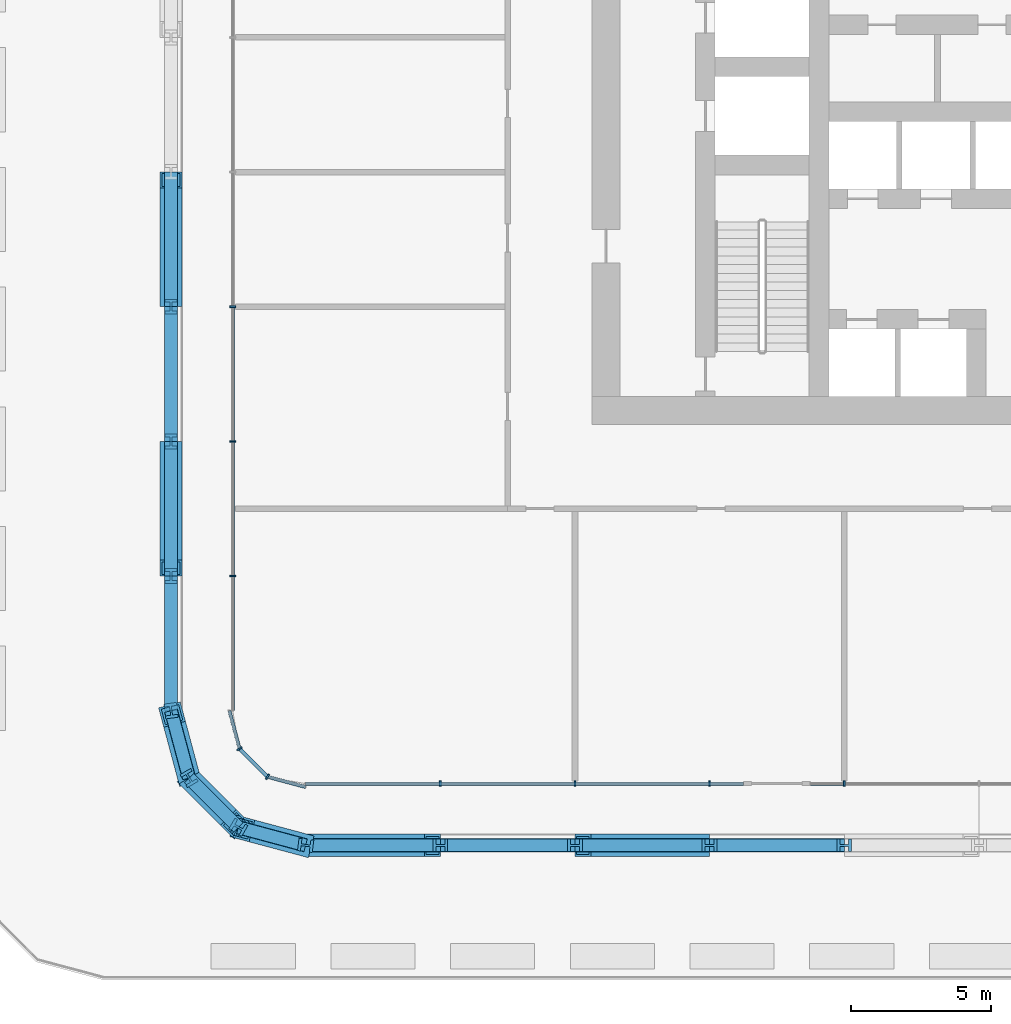
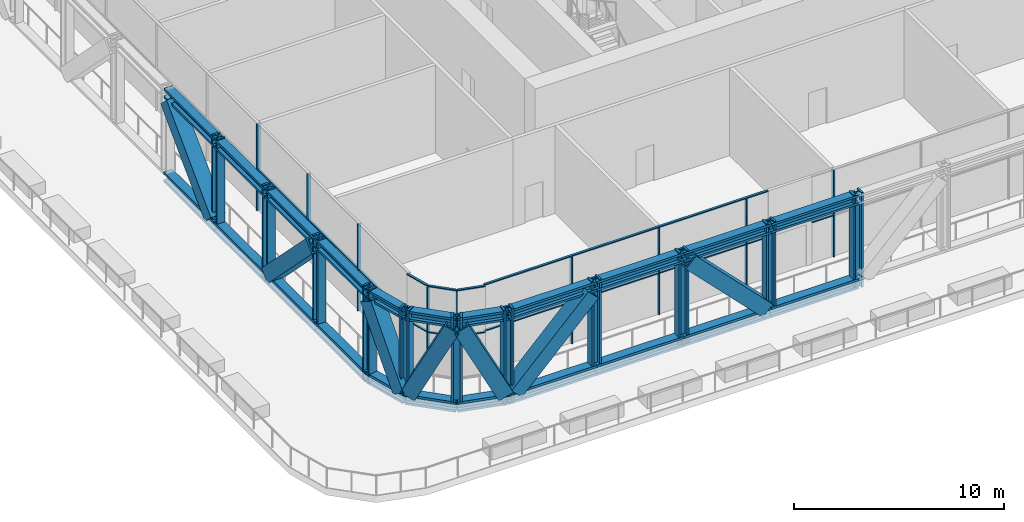
# One storey, part 1 of 22: 64 members, 3 elements without a shape of their own.
"""IFC4 building model written with IfcOpenShell, lengths in metres."""

import ifcopenshell
import ifcopenshell.guid

model = None  # the IFC model being written
_history = None  # IfcOwnerHistory: only IFC2X3 demands one
_inside = {}  # id of a spatial element -> (the spatial element, [elements in it])
_under = {}  # id of a project, library or spatial element -> (it, [spatial elements below it])
_declared = {}  # id of a project -> (the project, [libraries it declares])
_typed = {}  # id of a type object -> (the type object, [elements of that type])
_made_of = {}  # id of a material, layer set ... -> (it, [elements and type objects made of it])


def new_model(schema):
    """Start an empty IFC model of exactly this schema.

    Asked for "IFC4X3", IfcOpenShell would pick the latest addendum, in which some entities
    have other attributes; the version numbers below select the first issue.
    IFC2X3 requires an IfcOwnerHistory on every rooted entity: one is made here for all.
    """
    global model, _history
    if schema == "IFC4X3":
        model = ifcopenshell.file(schema_version=(4, 3, 0, 0))
    else:
        model = ifcopenshell.file(schema=schema)
    _inside.clear()
    _under.clear()
    _declared.clear()
    _typed.clear()
    _made_of.clear()
    _history = None
    if model.schema == "IFC2X3":
        org = make("IfcOrganization", Name="unknown")
        user = make(
            "IfcPersonAndOrganization",
            ThePerson=make("IfcPerson", FamilyName="unknown"),
            TheOrganization=org,
        )
        app = make(
            "IfcApplication",
            ApplicationDeveloper=org,
            Version="unknown",
            ApplicationFullName="unknown",
            ApplicationIdentifier="unknown",
        )
        _history = make(
            "IfcOwnerHistory",
            OwningUser=user,
            OwningApplication=app,
            ChangeAction="ADDED",
            CreationDate=0,
        )
    return model


def make(cls, **values):
    """One entity of the class cls with the attributes given. An attribute that is None is left unset."""
    return model.create_entity(
        cls, **{name: value for name, value in values.items() if value is not None}
    )


def rooted(cls, **values):
    """An entity with a GlobalId (a new one), such as an element, a storey or a relation."""
    return make(cls, GlobalId=ifcopenshell.guid.new(), OwnerHistory=_history, **values)


def si_unit(unit_type, name, prefix=None):
    """IfcSIUnit, for example si_unit("LENGTHUNIT", "METRE", prefix="MILLI")."""
    return make("IfcSIUnit", UnitType=unit_type, Prefix=prefix, Name=name)


def assignment(units):
    """IfcUnitAssignment: the units of a project."""
    return None if units is None else make("IfcUnitAssignment", Units=units)


def point(xyz):
    """IfcCartesianPoint."""
    return None if xyz is None else make("IfcCartesianPoint", Coordinates=xyz)


def direction(xyz):
    """IfcDirection."""
    return None if xyz is None else make("IfcDirection", DirectionRatios=xyz)


def frame(location, z_axis=None, x_axis=None):
    """IfcAxis2Placement3D, a coordinate frame: its origin and axes. An axis left out is left unset."""
    return make(
        "IfcAxis2Placement3D",
        Location=point(location),
        Axis=direction(z_axis),
        RefDirection=direction(x_axis),
    )


def frame_2d(location, x_axis=None):
    """IfcAxis2Placement2D, a coordinate frame in the plane: its origin and x axis."""
    return make(
        "IfcAxis2Placement2D", Location=point(location), RefDirection=direction(x_axis)
    )


def origin():
    """The frame at (0, 0, 0) with its axes left unset."""
    return frame((0.0, 0.0, 0.0))


def origin_2d():
    """The frame at (0, 0) in the plane with its x axis left unset."""
    return frame_2d((0.0, 0.0))


def place(relative_to, where):
    """IfcLocalPlacement: puts the frame where relative to a parent placement (None: the world)."""
    return make(
        "IfcLocalPlacement", PlacementRelTo=relative_to, RelativePlacement=where
    )


def context(
    kind, dimensions, precision=None, world=None, true_north=None, identifier=None
):
    """IfcGeometricRepresentationContext, for example the 3D "Model" context."""
    return make(
        "IfcGeometricRepresentationContext",
        ContextIdentifier=identifier,
        ContextType=kind,
        CoordinateSpaceDimension=dimensions,
        Precision=precision,
        WorldCoordinateSystem=world,
        TrueNorth=true_north,
    )


def subcontext(parent, identifier, kind, view, scale=None):
    """IfcGeometricRepresentationSubContext, for example "Body" below "Model"."""
    return make(
        "IfcGeometricRepresentationSubContext",
        ContextIdentifier=identifier,
        ContextType=kind,
        ParentContext=parent,
        TargetScale=scale,
        TargetView=view,
    )


def project(units=None, contexts=None):
    """IfcProject with its units and contexts."""
    return rooted(
        "IfcProject",
        Name="project",
        RepresentationContexts=contexts,
        UnitsInContext=assignment(units),
    )


def spatial(cls, under=None, at=None, **own):
    """A site, building, storey or space (cls), placed at a placement, below another one or the project."""
    s = rooted(cls, ObjectPlacement=at, **own)
    if under is not None:
        _under.setdefault(under.id(), (under, []))[1].append(s)
    return s


def profile(cls, at=None, kind="AREA", **sizes):
    """A parametric profile (cls). Its sizes go by their IFC names, for example OverallWidth=200.0."""
    return make(cls, ProfileType=kind, Position=at, **sizes)


def rectangle(**sizes):
    """IfcRectangleProfileDef."""
    return profile("IfcRectangleProfileDef", **sizes)


def hollow_rectangle(**sizes):
    """IfcRectangleHollowProfileDef."""
    return profile("IfcRectangleHollowProfileDef", **sizes)


def i_section(**sizes):
    """IfcIShapeProfileDef."""
    return profile("IfcIShapeProfileDef", **sizes)


def extrude(swept, where, along, depth):
    """IfcExtrudedAreaSolid: the profile swept, set in the frame where, extruded along a direction by depth."""
    return make(
        "IfcExtrudedAreaSolid",
        SweptArea=swept,
        Position=where,
        ExtrudedDirection=direction(along),
        Depth=depth,
    )


def shape(context_of_items, identifier, shape_type, items):
    """IfcShapeRepresentation: the items that make up one representation, for example the "Body"."""
    return make(
        "IfcShapeRepresentation",
        ContextOfItems=context_of_items,
        RepresentationIdentifier=identifier,
        RepresentationType=shape_type,
        Items=items,
    )


def material(Name=None, Category=None):
    """IfcMaterial."""
    return make("IfcMaterial", Name=Name, Category=Category)


def layer(
    of_material, thickness, ventilated=None, Name=None, Category=None, Priority=None
):
    """IfcMaterialLayer: one layer of a wall or slab, of a material (None: an air gap)."""
    return make(
        "IfcMaterialLayer",
        Material=of_material,
        LayerThickness=thickness,
        IsVentilated=ventilated,
        Name=Name,
        Category=Category,
        Priority=Priority,
    )


def layer_set(layers, Name=None):
    """IfcMaterialLayerSet."""
    return make("IfcMaterialLayerSet", MaterialLayers=layers, LayerSetName=Name)


def material_profile(
    of_material, cross_section, Name=None, Category=None, Priority=None
):
    """IfcMaterialProfile: a cross section and its material."""
    return make(
        "IfcMaterialProfile",
        Name=Name,
        Material=of_material,
        Profile=cross_section,
        Priority=Priority,
        Category=Category,
    )


def profile_set(profiles, Name=None, composite=None):
    """IfcMaterialProfileSet."""
    return make(
        "IfcMaterialProfileSet",
        Name=Name,
        MaterialProfiles=profiles,
        CompositeProfile=composite,
    )


def made_of(thing, what):
    """Note that an element or type object is made of a material, layer set ...; save() writes the relation."""
    if what is not None:
        _made_of.setdefault(what.id(), (what, []))[1].append(thing)
    return thing


def type_object(cls, material=None, **own):
    """A type object (cls), such as IfcWallType, which elements share."""
    return made_of(rooted(cls, **own), material)


def element(
    cls,
    number,
    at=None,
    inside=None,
    cuts=None,
    type_object=None,
    material=None,
    context=None,
    identifier="Body",
    shape_type=None,
    held_by="IfcProductDefinitionShape",
    body=None,
    shapes=None,
    **own,
):
    """One element of the class cls, such as IfcWall. Its Tag is "e" and its number.

    at: its placement. inside: the storey or other place that contains it. cuts: it is an
    opening in that element (IfcRelVoidsElement). A single representation is given by context,
    identifier, shape_type and body (its items); several are given by shapes. held_by: the class
    of the entity that holds the representations. save() writes the other relations.
    """
    e = rooted(cls, Tag="e%d" % number, ObjectPlacement=at, **own)
    if body is not None:
        shapes = [shape(context, identifier, shape_type, body)]
    if shapes is not None:
        e.Representation = make(held_by, Representations=shapes)
    if inside is not None:
        _inside.setdefault(inside.id(), (inside, []))[1].append(e)
    if cuts is not None:
        rooted(
            "IfcRelVoidsElement", RelatingBuildingElement=cuts, RelatedOpeningElement=e
        )
    if type_object is not None:
        _typed.setdefault(type_object.id(), (type_object, []))[1].append(e)
    return made_of(e, material)


def aggregate(whole, parts):
    """IfcRelAggregates: a whole, such as a stair, and the parts it consists of."""
    return rooted("IfcRelAggregates", RelatingObject=whole, RelatedObjects=parts)


def save(model, path):
    """Write the relations noted so far, then the file.

    IfcRelAggregates (storeys below a building ...), IfcRelContainedInSpatialStructure (elements
    in a storey), IfcRelDefinesByType, IfcRelAssociatesMaterial and IfcRelDeclares: one each for
    every whole, place, type object, material and project.
    """
    for whole, parts in _under.values():
        aggregate(whole, parts)
    for where, things in _inside.values():
        rooted(
            "IfcRelContainedInSpatialStructure",
            RelatedElements=things,
            RelatingStructure=where,
        )
    for kind, things in _typed.values():
        rooted("IfcRelDefinesByType", RelatedObjects=things, RelatingType=kind)
    for what, things in _made_of.values():
        rooted("IfcRelAssociatesMaterial", RelatedObjects=things, RelatingMaterial=what)
    for by, libraries in _declared.values():
        rooted("IfcRelDeclares", RelatingContext=by, RelatedDefinitions=libraries)
    model.write(path)


model = new_model("IFC4")

# Units and contexts
model_context = context("Model", 3, precision=1e-05, world=origin(), true_north=direction((0.0, 1.0)))
body_context = subcontext(model_context, "Body", "Model", "MODEL_VIEW")
ifc_project = project(units=[si_unit("LENGTHUNIT", "METRE"), si_unit("AREAUNIT", "SQUARE_METRE"), si_unit("VOLUMEUNIT", "CUBIC_METRE"), si_unit("PLANEANGLEUNIT", "RADIAN"), si_unit("MASSUNIT", "GRAM", prefix="KILO")], contexts=[model_context])

# Site, building, storey
site_placement = place(None, origin())
site = spatial("IfcSite", under=ifc_project, at=site_placement, CompositionType="ELEMENT")
building_placement = place(site_placement, origin())
building = spatial("IfcBuilding", under=site, at=building_placement, Name="Madar Terraces", CompositionType="ELEMENT")
storey_placement = place(building_placement, frame((0.0, 0.0, 24.0)))
storey = spatial("IfcBuildingStorey", under=building, at=storey_placement, Name="L05", CompositionType="ELEMENT", Elevation=24.0)

# Members
ifc_material_1 = material(Name="Steel ASTM A913 Grade 65", Category="steel")
ifc_material_profile_1 = material_profile(ifc_material_1, i_section(OverallWidth=0.4775390625, OverallDepth=0.599365234375, WebThickness=0.10009765625, FlangeThickness=0.139892578125, at=origin_2d()), Name="W14x873")
ifc_profile_set_1 = profile_set([ifc_material_profile_1], Name="Steel ASTM A913 Grade 65")
member_type_1 = type_object("IfcMemberType", Name="BC1 W14x873", PredefinedType="CHORD", material=ifc_profile_set_1)
member_1_placement = place(storey_placement, frame((4.800048828125, 0.0, -0.120361328125), z_axis=(1.0, 0.0, 0.0), x_axis=(0.0, 1.0, 0.0)))
element("IfcMember", 1, at=member_1_placement, inside=storey, type_object=member_type_1, Name="Exoskeleton truss ring bottom chord BC1", PredefinedType="CHORD", context=body_context, shape_type="SweptSolid", body=[
    extrude(i_section(OverallWidth=0.4775390625, OverallDepth=0.599365234375, WebThickness=0.10009765625, FlangeThickness=0.139892578125, at=origin_2d()), origin(), (0.0, 0.0, 1.0), 4.800048828125),
])
member_2_placement = place(storey_placement, frame((9.60009765625, 0.0, -0.120361328125), z_axis=(1.0, 0.0, 0.0), x_axis=(0.0, 1.0, 0.0)))
element("IfcMember", 2, at=member_2_placement, inside=storey, type_object=member_type_1, Name="Exoskeleton truss ring bottom chord BC1", PredefinedType="CHORD", context=body_context, shape_type="SweptSolid", body=[
    extrude(i_section(OverallWidth=0.4775390625, OverallDepth=0.599365234375, WebThickness=0.10009765625, FlangeThickness=0.139892578125, at=origin_2d()), origin(), (0.0, 0.0, 1.0), 4.7998046875),
])
for number, where, z_axis, x_axis, name in (
    (3, (14.39990234375, 0.0, -0.120361328125), (1.0, 0.0, 0.0), (0.0, 1.0, 0.0), "Exoskeleton truss ring bottom chord BC1"),
    (4, (19.199951171875, 0.0, -0.120361328125), (1.0, 0.0, 0.0), (0.0, 1.0, 0.0), "Exoskeleton truss ring bottom chord BC1"),
    (5, (0.0, 24.0, -0.120361328125), (0.0, -1.0, 0.0), (1.0, 0.0, 0.0), "Exoskeleton truss ring bottom chord BC1"),
    (6, (0.0, 19.199951171875, -0.120361328125), (0.0, -1.0, 0.0), (1.0, 0.0, 0.0), "Exoskeleton truss ring bottom chord BC1"),
):
    element("IfcMember", number, at=place(storey_placement, frame(where, z_axis=z_axis, x_axis=x_axis)), inside=storey, type_object=member_type_1, Name=name, PredefinedType="CHORD", context=body_context, shape_type="SweptSolid", body=[
        extrude(i_section(OverallWidth=0.4775390625, OverallDepth=0.599365234375, WebThickness=0.10009765625, FlangeThickness=0.139892578125, at=origin_2d()), origin(), (0.0, 0.0, 1.0), 4.800048828125),
    ])
member_3_placement = place(storey_placement, frame((0.0, 14.39990234375, -0.120361328125), z_axis=(0.0, -1.0, 0.0), x_axis=(1.0, 0.0, 0.0)))
element("IfcMember", 7, at=member_3_placement, inside=storey, type_object=member_type_1, Name="Exoskeleton truss ring bottom chord BC1", PredefinedType="CHORD", context=body_context, shape_type="SweptSolid", body=[
    extrude(i_section(OverallWidth=0.4775390625, OverallDepth=0.599365234375, WebThickness=0.10009765625, FlangeThickness=0.139892578125, at=origin_2d()), origin(), (0.0, 0.0, 1.0), 4.7998046875),
])
member_4_placement = place(storey_placement, frame((0.0, 9.60009765625, -0.120361328125), z_axis=(0.0, -1.0, 0.0), x_axis=(1.0, 0.0, 0.0)))
element("IfcMember", 8, at=member_4_placement, inside=storey, type_object=member_type_1, Name="Exoskeleton truss ring bottom chord BC1", PredefinedType="CHORD", context=body_context, shape_type="SweptSolid", body=[
    extrude(i_section(OverallWidth=0.4775390625, OverallDepth=0.599365234375, WebThickness=0.10009765625, FlangeThickness=0.139892578125, at=origin_2d()), origin(), (0.0, 0.0, 1.0), 4.800048828125),
])
member_5_placement = place(storey_placement, frame((0.0, 4.800048828125, -0.120361328125), z_axis=(0.258799930484, -0.965930947833, 0.0), x_axis=(0.965930947833, 0.258799930484, 0.0)))
element("IfcMember", 9, at=member_5_placement, inside=storey, type_object=member_type_1, Name="Exoskeleton truss ring bottom chord BC1", PredefinedType="CHORD", context=body_context, shape_type="SweptSolid", body=[
    extrude(i_section(OverallWidth=0.4775390625, OverallDepth=0.599365234375, WebThickness=0.10009765625, FlangeThickness=0.139892578125, at=origin_2d()), origin(), (0.0, 0.0, 1.0), 2.48486328125),
])
member_6_placement = place(storey_placement, frame((0.64306640625, 2.39990234375, -0.120361328125), z_axis=(0.707106781187, -0.707106781187, 0.0), x_axis=(0.707106781187, 0.707106781187, 0.0)))
element("IfcMember", 10, at=member_6_placement, inside=storey, type_object=member_type_1, Name="Exoskeleton truss ring bottom chord BC1", PredefinedType="CHORD", context=body_context, shape_type="SweptSolid", body=[
    extrude(i_section(OverallWidth=0.4775390625, OverallDepth=0.599365234375, WebThickness=0.10009765625, FlangeThickness=0.139892578125, at=origin_2d()), origin(), (0.0, 0.0, 1.0), 2.484619140625),
])
member_7_placement = place(storey_placement, frame((2.39990234375, 0.64306640625, -0.120361328125), z_axis=(0.965930947833, -0.258799930484, 0.0), x_axis=(0.258799930484, 0.965930947833, 0.0)))
element("IfcMember", 11, at=member_7_placement, inside=storey, type_object=member_type_1, Name="Exoskeleton truss ring bottom chord BC1", PredefinedType="CHORD", context=body_context, shape_type="SweptSolid", body=[
    extrude(i_section(OverallWidth=0.4775390625, OverallDepth=0.599365234375, WebThickness=0.10009765625, FlangeThickness=0.139892578125, at=origin_2d()), origin(), (0.0, 0.0, 1.0), 2.48486328125),
])

# Curtain wall, members
ifc_material_2 = material(Name="Glass, ceramic frit dark grey, with black aluminium frame", Category="aluminium")
ifc_layer = layer(ifc_material_2, 0.199951171875)
ifc_layer_set = layer_set([ifc_layer], Name="Facade curtain wall, tall glazing")
curtain_wall_type = type_object("IfcCurtainWallType", Name="Facade curtain wall, tall glazing", PredefinedType="NOTDEFINED", material=ifc_layer_set)
curtain_wall_1_placement = place(storey_placement, origin())
curtain_wall_1 = element("IfcCurtainWall", 12, at=curtain_wall_1_placement, inside=storey, type_object=curtain_wall_type, Name="Outer skin curtain wall south bay 1", PredefinedType="NOTDEFINED")
ifc_material_3 = material(Name="Aluminium, black anodised", Category="aluminium")
ifc_material_profile_2 = material_profile(ifc_material_3, rectangle(XDim=0.199951171875, YDim=0.06005859375, at=origin_2d()), Name="Facade mullion 60x200")
ifc_profile_set_2 = profile_set([ifc_material_profile_2], Name="Aluminium, black anodised")
member_type_2 = type_object("IfcMemberType", Name="Facade mullion 60x200", PredefinedType="MULLION", material=ifc_profile_set_2)
member_8_placement = place(storey_placement, frame((9.60009765625, 2.199951171875, 0.0), z_axis=(0.0, 0.0, 1.0), x_axis=(0.0, 1.0, 0.0)))
member_8 = element("IfcMember", 13, at=member_8_placement, type_object=member_type_2, Name="Mullion 1", PredefinedType="MULLION", context=body_context, shape_type="SweptSolid", body=[
    extrude(rectangle(XDim=0.199951171875, YDim=0.06005859375, at=origin_2d()), origin(), (0.0, 0.0, 1.0), 5.0400390625),
])
member_9_placement = place(storey_placement, frame((14.39990234375, 2.199951171875, 0.0), z_axis=(0.0, 0.0, 1.0), x_axis=(0.0, 1.0, 0.0)))
member_9 = element("IfcMember", 14, at=member_9_placement, type_object=member_type_2, Name="Mullion 2", PredefinedType="MULLION", context=body_context, shape_type="SweptSolid", body=[
    extrude(rectangle(XDim=0.199951171875, YDim=0.06005859375, at=origin_2d()), origin(), (0.0, 0.0, 1.0), 5.0400390625),
])
member_10_placement = place(storey_placement, frame((19.199951171875, 2.199951171875, 0.0), z_axis=(0.0, 0.0, 1.0), x_axis=(0.0, 1.0, 0.0)))
member_10 = element("IfcMember", 15, at=member_10_placement, type_object=member_type_2, Name="Mullion 3", PredefinedType="MULLION", context=body_context, shape_type="SweptSolid", body=[
    extrude(rectangle(XDim=0.199951171875, YDim=0.06005859375, at=origin_2d()), origin(), (0.0, 0.0, 1.0), 5.0400390625),
])
member_11_placement = place(storey_placement, frame((24.0, 2.199951171875, 0.0), z_axis=(0.0, 0.0, 1.0), x_axis=(0.0, 1.0, 0.0)))
member_11 = element("IfcMember", 16, at=member_11_placement, type_object=member_type_2, Name="Mullion 4", PredefinedType="MULLION", context=body_context, shape_type="SweptSolid", body=[
    extrude(rectangle(XDim=0.199951171875, YDim=0.06005859375, at=origin_2d()), origin(), (0.0, 0.0, 1.0), 5.0400390625),
])

curtain_wall_2_placement = place(storey_placement, origin())
curtain_wall_2 = element("IfcCurtainWall", 17, at=curtain_wall_2_placement, inside=storey, type_object=curtain_wall_type, Name="Outer skin curtain wall west bay 1", PredefinedType="NOTDEFINED")
member_12_placement = place(storey_placement, frame((2.199951171875, 19.199951171875, 0.0), z_axis=(0.0, 0.0, 1.0), x_axis=(1.0, 0.0, 0.0)))
member_12 = element("IfcMember", 18, at=member_12_placement, type_object=member_type_2, Name="Mullion 5", PredefinedType="MULLION", context=body_context, shape_type="SweptSolid", body=[
    extrude(rectangle(XDim=0.199951171875, YDim=0.06005859375, at=origin_2d()), origin(), (0.0, 0.0, 1.0), 5.0400390625),
])
member_13_placement = place(storey_placement, frame((2.199951171875, 14.39990234375, 0.0), z_axis=(0.0, 0.0, 1.0), x_axis=(1.0, 0.0, 0.0)))
member_13 = element("IfcMember", 19, at=member_13_placement, type_object=member_type_2, Name="Mullion 6", PredefinedType="MULLION", context=body_context, shape_type="SweptSolid", body=[
    extrude(rectangle(XDim=0.199951171875, YDim=0.06005859375, at=origin_2d()), origin(), (0.0, 0.0, 1.0), 5.0400390625),
])
member_14_placement = place(storey_placement, frame((2.199951171875, 9.60009765625, 0.0), z_axis=(0.0, 0.0, 1.0), x_axis=(1.0, 0.0, 0.0)))
member_14 = element("IfcMember", 20, at=member_14_placement, type_object=member_type_2, Name="Mullion 7", PredefinedType="MULLION", context=body_context, shape_type="SweptSolid", body=[
    extrude(rectangle(XDim=0.199951171875, YDim=0.06005859375, at=origin_2d()), origin(), (0.0, 0.0, 1.0), 5.0400390625),
])

curtain_wall_3_placement = place(storey_placement, origin())
curtain_wall_3 = element("IfcCurtainWall", 21, at=curtain_wall_3_placement, inside=storey, type_object=curtain_wall_type, Name="Outer skin curtain wall south-west corner", PredefinedType="NOTDEFINED")
member_15_placement = place(storey_placement, frame((2.4443359375, 3.43994140625, 0.0), z_axis=(0.0, 0.0, 1.0), x_axis=(0.866025386925, 0.500000029202, 0.0)))
member_15 = element("IfcMember", 22, at=member_15_placement, type_object=member_type_2, Name="Mullion 1", PredefinedType="MULLION", context=body_context, shape_type="SweptSolid", body=[
    extrude(rectangle(XDim=0.199951171875, YDim=0.06005859375, at=origin_2d()), origin(), (0.0, 0.0, 1.0), 5.0400390625),
])
member_16_placement = place(storey_placement, frame((3.43994140625, 2.4443359375, 0.0), z_axis=(0.0, 0.0, 1.0), x_axis=(0.500000029202, 0.866025386925, 0.0)))
member_16 = element("IfcMember", 23, at=member_16_placement, type_object=member_type_2, Name="Mullion 2", PredefinedType="MULLION", context=body_context, shape_type="SweptSolid", body=[
    extrude(rectangle(XDim=0.199951171875, YDim=0.06005859375, at=origin_2d()), origin(), (0.0, 0.0, 1.0), 5.0400390625),
])

# Member
ifc_material_4 = material(Name="Aluminium, black anodised", Category="aluminium")
ifc_material_profile_3 = material_profile(ifc_material_4, rectangle(XDim=0.1201171875, YDim=0.06005859375, at=origin_2d()), Name="Facade transom 60x120")
ifc_profile_set_3 = profile_set([ifc_material_profile_3], Name="Aluminium, black anodised")
member_type_3 = type_object("IfcMemberType", Name="Facade transom 60x120", PredefinedType="USERDEFINED", material=ifc_profile_set_3)
member_17_placement = place(storey_placement, frame((4.800048828125, 2.199951171875, 5.070068359375), z_axis=(1.0, 0.0, 0.0), x_axis=(0.0, 1.0, 0.0)))
member_17 = element("IfcMember", 24, at=member_17_placement, type_object=member_type_3, Name="Transom 1", ObjectType="TRANSOM", PredefinedType="USERDEFINED", context=body_context, shape_type="SweptSolid", body=[
    extrude(rectangle(XDim=0.1201171875, YDim=0.06005859375, at=origin_2d()), origin(), (0.0, 0.0, 1.0), 15.599853515625),
])

member_18_placement = place(storey_placement, frame((4.800048828125, 2.199951171875, 2.39990234375), z_axis=(1.0, 0.0, 0.0), x_axis=(0.0, 1.0, 0.0)))
member_18 = element("IfcMember", 25, at=member_18_placement, type_object=member_type_3, Name="Transom 2", ObjectType="TRANSOM", PredefinedType="USERDEFINED", context=body_context, shape_type="SweptSolid", body=[
    extrude(rectangle(XDim=0.1201171875, YDim=0.06005859375, at=origin_2d()), origin(), (0.0, 0.0, 1.0), 4.77001953125),
])

member_19_placement = place(storey_placement, frame((9.6298828125, 2.199951171875, 2.39990234375), z_axis=(1.0, 0.0, 0.0), x_axis=(0.0, 1.0, 0.0)))
member_19 = element("IfcMember", 26, at=member_19_placement, type_object=member_type_3, Name="Transom 3", ObjectType="TRANSOM", PredefinedType="USERDEFINED", context=body_context, shape_type="SweptSolid", body=[
    extrude(rectangle(XDim=0.1201171875, YDim=0.06005859375, at=origin_2d()), origin(), (0.0, 0.0, 1.0), 4.740234375),
])

member_20_placement = place(storey_placement, frame((14.429931640625, 2.199951171875, 2.39990234375), z_axis=(1.0, 0.0, 0.0), x_axis=(0.0, 1.0, 0.0)))
member_20 = element("IfcMember", 27, at=member_20_placement, type_object=member_type_3, Name="Transom 4", ObjectType="TRANSOM", PredefinedType="USERDEFINED", context=body_context, shape_type="SweptSolid", body=[
    extrude(rectangle(XDim=0.1201171875, YDim=0.06005859375, at=origin_2d()), origin(), (0.0, 0.0, 1.0), 4.739990234375),
])

member_21_placement = place(storey_placement, frame((19.22998046875, 2.199951171875, 2.39990234375), z_axis=(1.0, 0.0, 0.0), x_axis=(0.0, 1.0, 0.0)))
member_21 = element("IfcMember", 28, at=member_21_placement, type_object=member_type_3, Name="Transom 5", ObjectType="TRANSOM", PredefinedType="USERDEFINED", context=body_context, shape_type="SweptSolid", body=[
    extrude(rectangle(XDim=0.1201171875, YDim=0.06005859375, at=origin_2d()), origin(), (0.0, 0.0, 1.0), 1.169921875),
])

member_22_placement = place(storey_placement, frame((22.800048828125, 2.199951171875, 2.39990234375), z_axis=(1.0, 0.0, 0.0), x_axis=(0.0, 1.0, 0.0)))
member_22 = element("IfcMember", 29, at=member_22_placement, type_object=member_type_3, Name="Transom 7", ObjectType="TRANSOM", PredefinedType="USERDEFINED", context=body_context, shape_type="SweptSolid", body=[
    extrude(rectangle(XDim=0.1201171875, YDim=0.06005859375, at=origin_2d()), origin(), (0.0, 0.0, 1.0), 1.169921875),
])

aggregate(curtain_wall_1, [member_8, member_9, member_10, member_17, member_18, member_19, member_20, member_21, member_11, member_22])

member_23_placement = place(storey_placement, frame((2.199951171875, 19.169921875, 2.39990234375), z_axis=(0.0, -1.0, 0.0), x_axis=(1.0, 0.0, 0.0)))
member_23 = element("IfcMember", 30, at=member_23_placement, type_object=member_type_3, Name="Transom 7", ObjectType="TRANSOM", PredefinedType="USERDEFINED", context=body_context, shape_type="SweptSolid", body=[
    extrude(rectangle(XDim=0.1201171875, YDim=0.06005859375, at=origin_2d()), origin(), (0.0, 0.0, 1.0), 4.739990234375),
])

member_24_placement = place(storey_placement, frame((2.199951171875, 14.3701171875, 2.39990234375), z_axis=(0.0, -1.0, 0.0), x_axis=(1.0, 0.0, 0.0)))
member_24 = element("IfcMember", 31, at=member_24_placement, type_object=member_type_3, Name="Transom 8", ObjectType="TRANSOM", PredefinedType="USERDEFINED", context=body_context, shape_type="SweptSolid", body=[
    extrude(rectangle(XDim=0.1201171875, YDim=0.06005859375, at=origin_2d()), origin(), (0.0, 0.0, 1.0), 4.740234375),
])

member_25_placement = place(storey_placement, frame((2.199951171875, 9.570068359375, 2.39990234375), z_axis=(0.0, -1.0, 0.0), x_axis=(1.0, 0.0, 0.0)))
member_25 = element("IfcMember", 32, at=member_25_placement, type_object=member_type_3, Name="Transom 9", ObjectType="TRANSOM", PredefinedType="USERDEFINED", context=body_context, shape_type="SweptSolid", body=[
    extrude(rectangle(XDim=0.1201171875, YDim=0.06005859375, at=origin_2d()), origin(), (0.0, 0.0, 1.0), 4.77001953125),
])

aggregate(curtain_wall_2, [member_12, member_13, member_14, member_23, member_24, member_25])

member_26_placement = place(storey_placement, frame((2.080078125, 4.800048828125, 5.070068359375), z_axis=(0.258842352791, -0.965919580711, 0.0), x_axis=(0.965919580711, 0.258842352791, 0.0)))
member_26 = element("IfcMember", 33, at=member_26_placement, type_object=member_type_3, Name="Transom 1", ObjectType="TRANSOM", PredefinedType="USERDEFINED", context=body_context, shape_type="SweptSolid", body=[
    extrude(rectangle(XDim=0.1201171875, YDim=0.06005859375, at=origin_2d()), origin(), (0.0, 0.0, 1.0), 1.3779296875),
])

member_27_placement = place(storey_placement, frame((2.080078125, 4.800048828125, 2.39990234375), z_axis=(0.258842352791, -0.965919580711, 0.0), x_axis=(0.965919580711, 0.258842352791, 0.0)))
member_27 = element("IfcMember", 34, at=member_27_placement, type_object=member_type_3, Name="Transom 2", ObjectType="TRANSOM", PredefinedType="USERDEFINED", context=body_context, shape_type="SweptSolid", body=[
    extrude(rectangle(XDim=0.1201171875, YDim=0.06005859375, at=origin_2d()), origin(), (0.0, 0.0, 1.0), 1.3779296875),
])

member_28_placement = place(storey_placement, frame((2.465576171875, 3.418701171875, 5.070068359375), z_axis=(0.707106781187, -0.707106781187, 0.0), x_axis=(0.707106781187, 0.707106781187, 0.0)))
member_28 = element("IfcMember", 35, at=member_28_placement, type_object=member_type_3, Name="Transom 3", ObjectType="TRANSOM", PredefinedType="USERDEFINED", context=body_context, shape_type="SweptSolid", body=[
    extrude(rectangle(XDim=0.1201171875, YDim=0.06005859375, at=origin_2d()), origin(), (0.0, 0.0, 1.0), 1.347900390625),
])

member_29_placement = place(storey_placement, frame((2.465576171875, 3.418701171875, 2.39990234375), z_axis=(0.707106781187, -0.707106781187, 0.0), x_axis=(0.707106781187, 0.707106781187, 0.0)))
member_29 = element("IfcMember", 36, at=member_29_placement, type_object=member_type_3, Name="Transom 4", ObjectType="TRANSOM", PredefinedType="USERDEFINED", context=body_context, shape_type="SweptSolid", body=[
    extrude(rectangle(XDim=0.1201171875, YDim=0.06005859375, at=origin_2d()), origin(), (0.0, 0.0, 1.0), 1.347900390625),
])

member_30_placement = place(storey_placement, frame((3.468994140625, 2.436767578125, 5.070068359375), z_axis=(0.965919580711, -0.258842352791, 0.0), x_axis=(0.258842352791, 0.965919580711, 0.0)))
member_30 = element("IfcMember", 37, at=member_30_placement, type_object=member_type_3, Name="Transom 5", ObjectType="TRANSOM", PredefinedType="USERDEFINED", context=body_context, shape_type="SweptSolid", body=[
    extrude(rectangle(XDim=0.1201171875, YDim=0.06005859375, at=origin_2d()), origin(), (0.0, 0.0, 1.0), 1.3779296875),
])

member_31_placement = place(storey_placement, frame((3.468994140625, 2.436767578125, 2.39990234375), z_axis=(0.965919580711, -0.258842352791, 0.0), x_axis=(0.258842352791, 0.965919580711, 0.0)))
member_31 = element("IfcMember", 38, at=member_31_placement, type_object=member_type_3, Name="Transom 6", ObjectType="TRANSOM", PredefinedType="USERDEFINED", context=body_context, shape_type="SweptSolid", body=[
    extrude(rectangle(XDim=0.1201171875, YDim=0.06005859375, at=origin_2d()), origin(), (0.0, 0.0, 1.0), 1.3779296875),
])

aggregate(curtain_wall_3, [member_15, member_26, member_27, member_16, member_28, member_29, member_30, member_31])

# Members
ifc_material_5 = material(Name="Steel ASTM A913 Grade 65", Category="steel")
ifc_material_profile_4 = material_profile(ifc_material_5, i_section(OverallWidth=0.45458984375, OverallDepth=0.56884765625, WebThickness=0.077880859375, FlangeThickness=0.124755859375, at=origin_2d()), Name="W14x730")
ifc_profile_set_4 = profile_set([ifc_material_profile_4], Name="Steel ASTM A913 Grade 65")
member_type_4 = type_object("IfcMemberType", Name="TC1 W14x730", PredefinedType="CHORD", material=ifc_profile_set_4)
member_32_placement = place(storey_placement, frame((4.800048828125, 0.0, 4.74560546875), z_axis=(1.0, 0.0, 0.0), x_axis=(0.0, 1.0, 0.0)))
element("IfcMember", 39, at=member_32_placement, inside=storey, type_object=member_type_4, Name="Exoskeleton truss ring top chord TC1", PredefinedType="CHORD", context=body_context, shape_type="SweptSolid", body=[
    extrude(i_section(OverallWidth=0.45458984375, OverallDepth=0.56884765625, WebThickness=0.077880859375, FlangeThickness=0.124755859375, at=origin_2d()), origin(), (0.0, 0.0, 1.0), 4.800048828125),
])
member_33_placement = place(storey_placement, frame((9.60009765625, 0.0, 4.74560546875), z_axis=(1.0, 0.0, 0.0), x_axis=(0.0, 1.0, 0.0)))
element("IfcMember", 40, at=member_33_placement, inside=storey, type_object=member_type_4, Name="Exoskeleton truss ring top chord TC1", PredefinedType="CHORD", context=body_context, shape_type="SweptSolid", body=[
    extrude(i_section(OverallWidth=0.45458984375, OverallDepth=0.56884765625, WebThickness=0.077880859375, FlangeThickness=0.124755859375, at=origin_2d()), origin(), (0.0, 0.0, 1.0), 4.7998046875),
])
for number, where, z_axis, x_axis, name in (
    (41, (14.39990234375, 0.0, 4.74560546875), (1.0, 0.0, 0.0), (0.0, 1.0, 0.0), "Exoskeleton truss ring top chord TC1"),
    (42, (19.199951171875, 0.0, 4.74560546875), (1.0, 0.0, 0.0), (0.0, 1.0, 0.0), "Exoskeleton truss ring top chord TC1"),
    (43, (0.0, 24.0, 4.74560546875), (0.0, -1.0, 0.0), (1.0, 0.0, 0.0), "Exoskeleton truss ring top chord TC1"),
    (44, (0.0, 19.199951171875, 4.74560546875), (0.0, -1.0, 0.0), (1.0, 0.0, 0.0), "Exoskeleton truss ring top chord TC1"),
):
    element("IfcMember", number, at=place(storey_placement, frame(where, z_axis=z_axis, x_axis=x_axis)), inside=storey, type_object=member_type_4, Name=name, PredefinedType="CHORD", context=body_context, shape_type="SweptSolid", body=[
        extrude(i_section(OverallWidth=0.45458984375, OverallDepth=0.56884765625, WebThickness=0.077880859375, FlangeThickness=0.124755859375, at=origin_2d()), origin(), (0.0, 0.0, 1.0), 4.800048828125),
    ])
member_34_placement = place(storey_placement, frame((0.0, 14.39990234375, 4.74560546875), z_axis=(0.0, -1.0, 0.0), x_axis=(1.0, 0.0, 0.0)))
element("IfcMember", 45, at=member_34_placement, inside=storey, type_object=member_type_4, Name="Exoskeleton truss ring top chord TC1", PredefinedType="CHORD", context=body_context, shape_type="SweptSolid", body=[
    extrude(i_section(OverallWidth=0.45458984375, OverallDepth=0.56884765625, WebThickness=0.077880859375, FlangeThickness=0.124755859375, at=origin_2d()), origin(), (0.0, 0.0, 1.0), 4.7998046875),
])
member_35_placement = place(storey_placement, frame((0.0, 9.60009765625, 4.74560546875), z_axis=(0.0, -1.0, 0.0), x_axis=(1.0, 0.0, 0.0)))
element("IfcMember", 46, at=member_35_placement, inside=storey, type_object=member_type_4, Name="Exoskeleton truss ring top chord TC1", PredefinedType="CHORD", context=body_context, shape_type="SweptSolid", body=[
    extrude(i_section(OverallWidth=0.45458984375, OverallDepth=0.56884765625, WebThickness=0.077880859375, FlangeThickness=0.124755859375, at=origin_2d()), origin(), (0.0, 0.0, 1.0), 4.800048828125),
])
member_36_placement = place(storey_placement, frame((0.0, 4.800048828125, 4.74560546875), z_axis=(0.258799930484, -0.965930947833, 0.0), x_axis=(0.965930947833, 0.258799930484, 0.0)))
element("IfcMember", 47, at=member_36_placement, inside=storey, type_object=member_type_4, Name="Exoskeleton truss ring top chord TC1", PredefinedType="CHORD", context=body_context, shape_type="SweptSolid", body=[
    extrude(i_section(OverallWidth=0.45458984375, OverallDepth=0.56884765625, WebThickness=0.077880859375, FlangeThickness=0.124755859375, at=origin_2d()), origin(), (0.0, 0.0, 1.0), 2.48486328125),
])
member_37_placement = place(storey_placement, frame((0.64306640625, 2.39990234375, 4.74560546875), z_axis=(0.707106781187, -0.707106781187, 0.0), x_axis=(0.707106781187, 0.707106781187, 0.0)))
element("IfcMember", 48, at=member_37_placement, inside=storey, type_object=member_type_4, Name="Exoskeleton truss ring top chord TC1", PredefinedType="CHORD", context=body_context, shape_type="SweptSolid", body=[
    extrude(i_section(OverallWidth=0.45458984375, OverallDepth=0.56884765625, WebThickness=0.077880859375, FlangeThickness=0.124755859375, at=origin_2d()), origin(), (0.0, 0.0, 1.0), 2.484619140625),
])
member_38_placement = place(storey_placement, frame((2.39990234375, 0.64306640625, 4.74560546875), z_axis=(0.965930947833, -0.258799930484, 0.0), x_axis=(0.258799930484, 0.965930947833, 0.0)))
element("IfcMember", 49, at=member_38_placement, inside=storey, type_object=member_type_4, Name="Exoskeleton truss ring top chord TC1", PredefinedType="CHORD", context=body_context, shape_type="SweptSolid", body=[
    extrude(i_section(OverallWidth=0.45458984375, OverallDepth=0.56884765625, WebThickness=0.077880859375, FlangeThickness=0.124755859375, at=origin_2d()), origin(), (0.0, 0.0, 1.0), 2.48486328125),
])
ifc_material_6 = material(Name="Steel ASTM A572 Grade 50", Category="steel")
ifc_material_profile_5 = material_profile(ifc_material_6, hollow_rectangle(XDim=0.800048828125, YDim=0.800048828125, WallThickness=0.080078125, at=origin_2d()), Name="BOX800x800x80")
ifc_profile_set_5 = profile_set([ifc_material_profile_5], Name="Steel ASTM A572 Grade 50")
member_type_5 = type_object("IfcMemberType", Name="TD1 BOX800x800x80", PredefinedType="BRACE", material=ifc_profile_set_5)
for number, where, z_axis, x_axis, name in (
    (50, (5.095703125, 0.0, 0.179443359375), (0.702280003428, 0.0, 0.711900833533), (0.0, 1.0, 0.0), "Exoskeleton truss ring diagonal TD1"),
    (51, (14.6806640625, 0.0, 4.4609375), (0.702280003428, 0.0, -0.711900833533), (0.0, 1.0, 0.0), "Exoskeleton truss ring diagonal TD1"),
):
    element("IfcMember", number, at=place(storey_placement, frame(where, z_axis=z_axis, x_axis=x_axis)), inside=storey, type_object=member_type_5, Name=name, PredefinedType="BRACE", context=body_context, shape_type="SweptSolid", body=[
        extrude(hollow_rectangle(XDim=0.800048828125, YDim=0.800048828125, WallThickness=0.080078125, at=origin_2d()), origin(), (0.0, 0.0, 1.0), 6.01416015625),
    ])
member_39_placement = place(storey_placement, frame((0.0, 23.719482421875, 4.4609375), z_axis=(0.0, -0.702300575813, -0.711880538583), x_axis=(1.0, 0.0, 0.0)))
element("IfcMember", 52, at=member_39_placement, inside=storey, type_object=member_type_5, Name="Exoskeleton truss ring diagonal TD1", PredefinedType="BRACE", context=body_context, shape_type="SweptSolid", body=[
    extrude(hollow_rectangle(XDim=0.800048828125, YDim=0.800048828125, WallThickness=0.080078125, at=origin_2d()), origin(), (0.0, 0.0, 1.0), 6.014404296875),
])
member_40_placement = place(storey_placement, frame((0.0, 14.104248046875, 0.179443359375), z_axis=(0.0, -0.702280003428, 0.711900833533), x_axis=(1.0, 0.0, 0.0)))
element("IfcMember", 53, at=member_40_placement, inside=storey, type_object=member_type_5, Name="Exoskeleton truss ring diagonal TD1", PredefinedType="BRACE", context=body_context, shape_type="SweptSolid", body=[
    extrude(hollow_rectangle(XDim=0.800048828125, YDim=0.800048828125, WallThickness=0.080078125, at=origin_2d()), origin(), (0.0, 0.0, 1.0), 6.01416015625),
])
for number, where, z_axis, x_axis, name in (
    (54, (0.03759765625, 4.65966796875, 4.4609375), (0.117717766233, -0.439283295045, -0.890602444533), (0.965919140314, 0.258843996214, 0.0), "Exoskeleton truss ring diagonal TD1"),
    (55, (0.751220703125, 2.291748046875, 0.179443359375), (0.321614036581, -0.321563252744, 0.890596140773), (0.707050947417, 0.707162610548, 0.0), "Exoskeleton truss ring diagonal TD1"),
    (56, (2.540283203125, 0.60546875, 4.4609375), (0.439283295045, -0.117717766233, -0.890602444533), (0.258843996214, 0.965919140314, 0.0), "Exoskeleton truss ring diagonal TD1"),
):
    element("IfcMember", number, at=place(storey_placement, frame(where, z_axis=z_axis, x_axis=x_axis)), inside=storey, type_object=member_type_5, Name=name, PredefinedType="BRACE", context=body_context, shape_type="SweptSolid", body=[
        extrude(hollow_rectangle(XDim=0.800048828125, YDim=0.800048828125, WallThickness=0.080078125, at=origin_2d()), origin(), (0.0, 0.0, 1.0), 4.807373046875),
    ])
ifc_material_7 = material(Name="Steel ASTM A913 Grade 65", Category="steel")
ifc_material_profile_6 = material_profile(ifc_material_7, i_section(OverallWidth=0.44189453125, OverallDepth=0.53076171875, WebThickness=0.06591796875, FlangeThickness=0.105712890625, at=origin_2d()), Name="W14x605")
ifc_profile_set_6 = profile_set([ifc_material_profile_6], Name="Steel ASTM A913 Grade 65")
member_type_6 = type_object("IfcMemberType", Name="TV1 W14x605", PredefinedType="POST", material=ifc_profile_set_6)
member_41_placement = place(storey_placement, frame((4.800048828125, 0.0, -0.419921875), z_axis=(0.0, 0.0, 1.0), x_axis=(0.130526174916, 0.991444863652, 0.0)))
element("IfcMember", 57, at=member_41_placement, inside=storey, type_object=member_type_6, Name="Exoskeleton truss ring post TV1", PredefinedType="POST", context=body_context, shape_type="SweptSolid", body=[
    extrude(i_section(OverallWidth=0.44189453125, OverallDepth=0.53076171875, WebThickness=0.06591796875, FlangeThickness=0.105712890625, at=origin_2d()), origin(), (0.0, 0.0, 1.0), 5.52001953125),
])
member_42_placement = place(storey_placement, frame((9.60009765625, 0.0, 0.179443359375), z_axis=(0.0, 0.0, 1.0), x_axis=(0.0, 1.0, 0.0)))
element("IfcMember", 58, at=member_42_placement, inside=storey, type_object=member_type_6, Name="Exoskeleton truss ring post TV1", PredefinedType="POST", context=body_context, shape_type="SweptSolid", body=[
    extrude(i_section(OverallWidth=0.44189453125, OverallDepth=0.53076171875, WebThickness=0.06591796875, FlangeThickness=0.105712890625, at=origin_2d()), origin(), (0.0, 0.0, 1.0), 4.920654296875),
])
member_43_placement = place(storey_placement, frame((14.39990234375, 0.0, -0.419921875), z_axis=(0.0, 0.0, 1.0), x_axis=(0.0, 1.0, 0.0)))
element("IfcMember", 59, at=member_43_placement, inside=storey, type_object=member_type_6, Name="Exoskeleton truss ring post TV1", PredefinedType="POST", context=body_context, shape_type="SweptSolid", body=[
    extrude(i_section(OverallWidth=0.44189453125, OverallDepth=0.53076171875, WebThickness=0.06591796875, FlangeThickness=0.105712890625, at=origin_2d()), origin(), (0.0, 0.0, 1.0), 5.52001953125),
])
member_44_placement = place(storey_placement, frame((19.199951171875, 0.0, 0.179443359375), z_axis=(0.0, 0.0, 1.0), x_axis=(0.0, 1.0, 0.0)))
element("IfcMember", 60, at=member_44_placement, inside=storey, type_object=member_type_6, Name="Exoskeleton truss ring post TV1", PredefinedType="POST", context=body_context, shape_type="SweptSolid", body=[
    extrude(i_section(OverallWidth=0.44189453125, OverallDepth=0.53076171875, WebThickness=0.06591796875, FlangeThickness=0.105712890625, at=origin_2d()), origin(), (0.0, 0.0, 1.0), 4.920654296875),
])
member_45_placement = place(storey_placement, frame((24.0, 0.0, -0.419921875), z_axis=(0.0, 0.0, 1.0), x_axis=(0.0, 1.0, 0.0)))
element("IfcMember", 61, at=member_45_placement, inside=storey, type_object=member_type_6, Name="Exoskeleton truss ring post TV1", PredefinedType="POST", context=body_context, shape_type="SweptSolid", body=[
    extrude(i_section(OverallWidth=0.44189453125, OverallDepth=0.53076171875, WebThickness=0.06591796875, FlangeThickness=0.105712890625, at=origin_2d()), origin(), (0.0, 0.0, 1.0), 5.52001953125),
])
member_46_placement = place(storey_placement, frame((0.0, 19.199951171875, 0.179443359375), z_axis=(0.0, 0.0, 1.0), x_axis=(1.0, 0.0, 0.0)))
element("IfcMember", 62, at=member_46_placement, inside=storey, type_object=member_type_6, Name="Exoskeleton truss ring post TV1", PredefinedType="POST", context=body_context, shape_type="SweptSolid", body=[
    extrude(i_section(OverallWidth=0.44189453125, OverallDepth=0.53076171875, WebThickness=0.06591796875, FlangeThickness=0.105712890625, at=origin_2d()), origin(), (0.0, 0.0, 1.0), 4.920654296875),
])
member_47_placement = place(storey_placement, frame((0.0, 14.39990234375, -0.419921875), z_axis=(0.0, 0.0, 1.0), x_axis=(1.0, 0.0, 0.0)))
element("IfcMember", 63, at=member_47_placement, inside=storey, type_object=member_type_6, Name="Exoskeleton truss ring post TV1", PredefinedType="POST", context=body_context, shape_type="SweptSolid", body=[
    extrude(i_section(OverallWidth=0.44189453125, OverallDepth=0.53076171875, WebThickness=0.06591796875, FlangeThickness=0.105712890625, at=origin_2d()), origin(), (0.0, 0.0, 1.0), 5.52001953125),
])
member_48_placement = place(storey_placement, frame((0.0, 9.60009765625, 0.179443359375), z_axis=(0.0, 0.0, 1.0), x_axis=(1.0, 0.0, 0.0)))
element("IfcMember", 64, at=member_48_placement, inside=storey, type_object=member_type_6, Name="Exoskeleton truss ring post TV1", PredefinedType="POST", context=body_context, shape_type="SweptSolid", body=[
    extrude(i_section(OverallWidth=0.44189453125, OverallDepth=0.53076171875, WebThickness=0.06591796875, FlangeThickness=0.105712890625, at=origin_2d()), origin(), (0.0, 0.0, 1.0), 4.920654296875),
])
member_49_placement = place(storey_placement, frame((0.0, 4.800048828125, -0.419921875), z_axis=(0.0, 0.0, 1.0), x_axis=(0.991444863652, 0.130526174916, 0.0)))
element("IfcMember", 65, at=member_49_placement, inside=storey, type_object=member_type_6, Name="Exoskeleton truss ring post TV1", PredefinedType="POST", context=body_context, shape_type="SweptSolid", body=[
    extrude(i_section(OverallWidth=0.44189453125, OverallDepth=0.53076171875, WebThickness=0.06591796875, FlangeThickness=0.105712890625, at=origin_2d()), origin(), (0.0, 0.0, 1.0), 5.52001953125),
])
for number, where, z_axis, x_axis, name in (
    (66, (0.64306640625, 2.39990234375, 0.179443359375), (0.0, 0.0, 1.0), (0.866025412511, 0.499999984885, 0.0), "Exoskeleton truss ring post TV1"),
    (67, (2.39990234375, 0.64306640625, 0.179443359375), (0.0, 0.0, 1.0), (0.499999984885, 0.866025412511, 0.0), "Exoskeleton truss ring post TV1"),
):
    element("IfcMember", number, at=place(storey_placement, frame(where, z_axis=z_axis, x_axis=x_axis)), inside=storey, type_object=member_type_6, Name=name, PredefinedType="POST", context=body_context, shape_type="SweptSolid", body=[
        extrude(i_section(OverallWidth=0.44189453125, OverallDepth=0.53076171875, WebThickness=0.06591796875, FlangeThickness=0.105712890625, at=origin_2d()), origin(), (0.0, 0.0, 1.0), 4.920654296875),
    ])

save(model, "model.ifc")
